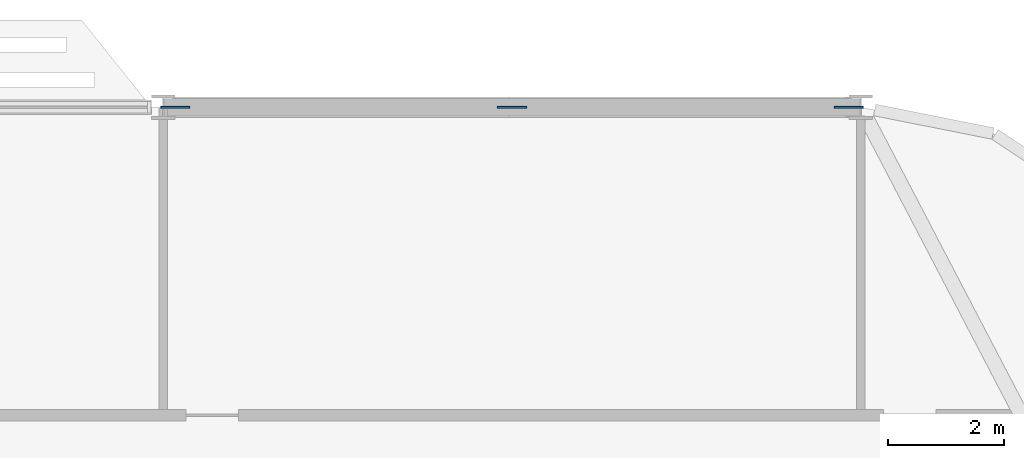
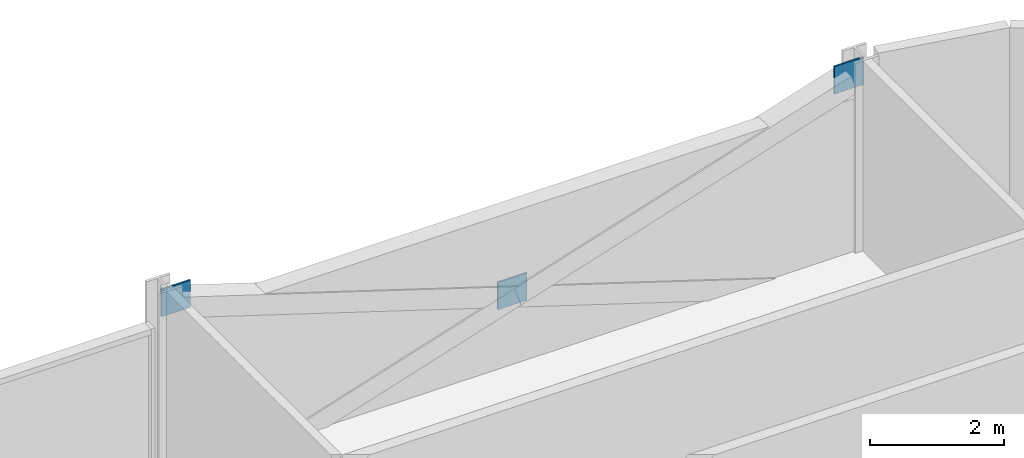
# One storey, part 21 of 27: 3 discrete accessories.
"""IFC4 building model written with IfcOpenShell, lengths in metres."""

from ifc_helpers import new_model, si_unit, direction, frame, origin, origin_2d, place, context, subcontext, project, spatial, rectangle, extrude, material, layer, layer_set, type_object, element, save


model = new_model("IFC4")

# Units and contexts
model_context = context("Model", 3, precision=1e-05, world=origin(), true_north=direction((0.0, 1.0)))
body_context = subcontext(model_context, "Body", "Model", "MODEL_VIEW")
ifc_project = project(units=[si_unit("LENGTHUNIT", "METRE"), si_unit("AREAUNIT", "SQUARE_METRE"), si_unit("VOLUMEUNIT", "CUBIC_METRE"), si_unit("PLANEANGLEUNIT", "RADIAN"), si_unit("MASSUNIT", "GRAM", prefix="KILO")], contexts=[model_context])

# Site, building, storey
site_placement = place(None, origin())
site = spatial("IfcSite", under=ifc_project, at=site_placement, CompositionType="ELEMENT")
building_placement = place(site_placement, origin())
building = spatial("IfcBuilding", under=site, at=building_placement, Name="Mahtab Terrace Research Tower", CompositionType="ELEMENT")
storey_placement = place(building_placement, frame((0.0, 0.0, 163.0)))
storey = spatial("IfcBuildingStorey", under=building, at=storey_placement, Name="L38", CompositionType="ELEMENT", Elevation=163.0)

# Discrete accessories
ifc_material = material(Name="Steel ASTM A992 Gr 50", Category="steel")
ifc_layer = layer(ifc_material, 0.030029296875)
ifc_layer_set = layer_set([ifc_layer], Name="Gusset plate 500x500x30")
discrete_accessory_type = type_object("IfcDiscreteAccessoryType", Name="Gusset plate 500x500x30", PredefinedType="USERDEFINED", material=ifc_layer_set)
for number, where, z_axis, x_axis, name in (
    (1, (30.203125, 23.0, 2.870849609375), (0.0, 0.0, 1.0), (1.0, 0.0, 0.0), "Gusset plate"),
    (2, (36.0, 23.0, 0.970947265625), (0.0, 0.0, 1.0), (1.0, 0.0, 0.0), "Gusset plate"),
    (3, (41.796875, 23.0, 2.870849609375), (0.0, 0.0, 1.0), (1.0, 0.0, 0.0), "Gusset plate"),
):
    element("IfcDiscreteAccessory", number, at=place(storey_placement, frame(where, z_axis=z_axis, x_axis=x_axis)), inside=storey, type_object=discrete_accessory_type, Name=name, ObjectType="GUSSET PLATE", PredefinedType="USERDEFINED", context=body_context, shape_type="SweptSolid", body=[
        extrude(rectangle(XDim=0.5, YDim=0.030029296875, at=origin_2d()), origin(), (0.0, 0.0, 1.0), 0.5),
    ])

save(model, "model.ifc")
